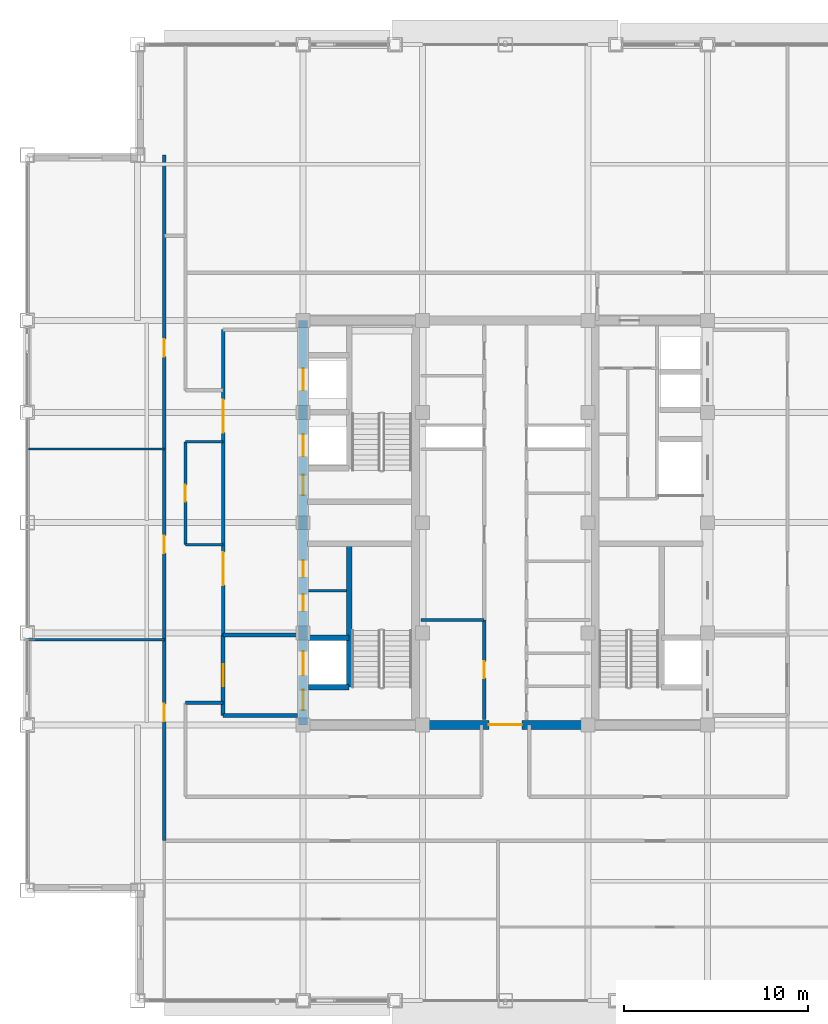
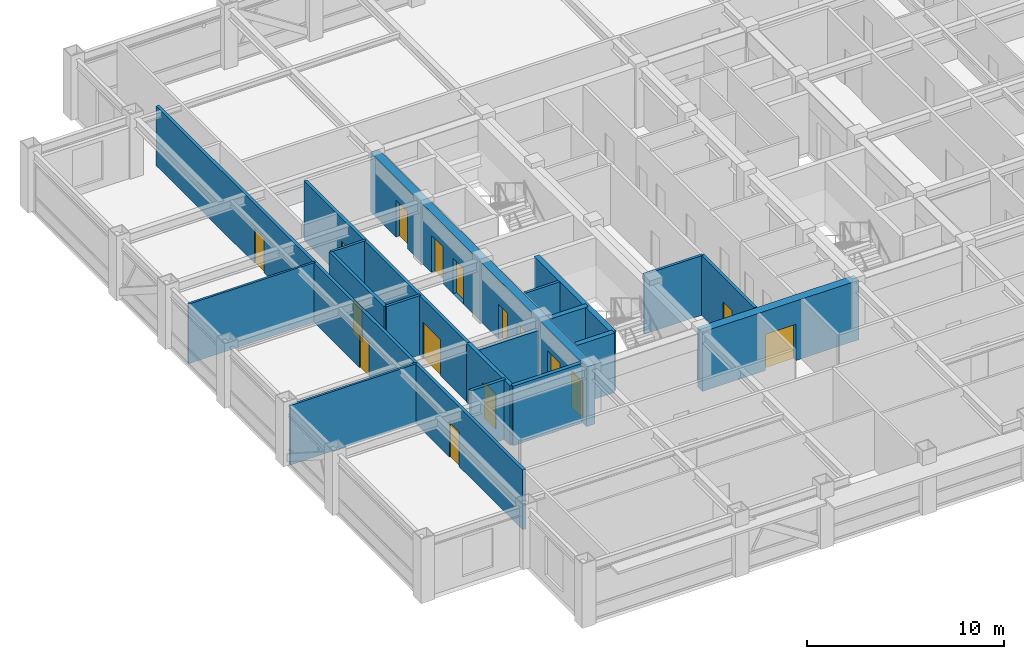
# One storey, part 24 of 32: 19 walls, 16 doors, 16 openings.
"""IFC4 building model written with IfcOpenShell, lengths in metres."""

import ifcopenshell
import ifcopenshell.guid

model = None  # the IFC model being written
_history = None  # IfcOwnerHistory: only IFC2X3 demands one
_inside = {}  # id of a spatial element -> (the spatial element, [elements in it])
_under = {}  # id of a project, library or spatial element -> (it, [spatial elements below it])
_declared = {}  # id of a project -> (the project, [libraries it declares])
_typed = {}  # id of a type object -> (the type object, [elements of that type])
_made_of = {}  # id of a material, layer set ... -> (it, [elements and type objects made of it])


def new_model(schema):
    """Start an empty IFC model of exactly this schema.

    Asked for "IFC4X3", IfcOpenShell would pick the latest addendum, in which some entities
    have other attributes; the version numbers below select the first issue.
    IFC2X3 requires an IfcOwnerHistory on every rooted entity: one is made here for all.
    """
    global model, _history
    if schema == "IFC4X3":
        model = ifcopenshell.file(schema_version=(4, 3, 0, 0))
    else:
        model = ifcopenshell.file(schema=schema)
    _inside.clear()
    _under.clear()
    _declared.clear()
    _typed.clear()
    _made_of.clear()
    _history = None
    if model.schema == "IFC2X3":
        org = make("IfcOrganization", Name="unknown")
        user = make(
            "IfcPersonAndOrganization",
            ThePerson=make("IfcPerson", FamilyName="unknown"),
            TheOrganization=org,
        )
        app = make(
            "IfcApplication",
            ApplicationDeveloper=org,
            Version="unknown",
            ApplicationFullName="unknown",
            ApplicationIdentifier="unknown",
        )
        _history = make(
            "IfcOwnerHistory",
            OwningUser=user,
            OwningApplication=app,
            ChangeAction="ADDED",
            CreationDate=0,
        )
    return model


def make(cls, **values):
    """One entity of the class cls with the attributes given. An attribute that is None is left unset."""
    return model.create_entity(
        cls, **{name: value for name, value in values.items() if value is not None}
    )


def rooted(cls, **values):
    """An entity with a GlobalId (a new one), such as an element, a storey or a relation."""
    return make(cls, GlobalId=ifcopenshell.guid.new(), OwnerHistory=_history, **values)


def si_unit(unit_type, name, prefix=None):
    """IfcSIUnit, for example si_unit("LENGTHUNIT", "METRE", prefix="MILLI")."""
    return make("IfcSIUnit", UnitType=unit_type, Prefix=prefix, Name=name)


def assignment(units):
    """IfcUnitAssignment: the units of a project."""
    return None if units is None else make("IfcUnitAssignment", Units=units)


def point(xyz):
    """IfcCartesianPoint."""
    return None if xyz is None else make("IfcCartesianPoint", Coordinates=xyz)


def direction(xyz):
    """IfcDirection."""
    return None if xyz is None else make("IfcDirection", DirectionRatios=xyz)


def frame(location, z_axis=None, x_axis=None):
    """IfcAxis2Placement3D, a coordinate frame: its origin and axes. An axis left out is left unset."""
    return make(
        "IfcAxis2Placement3D",
        Location=point(location),
        Axis=direction(z_axis),
        RefDirection=direction(x_axis),
    )


def frame_2d(location, x_axis=None):
    """IfcAxis2Placement2D, a coordinate frame in the plane: its origin and x axis."""
    return make(
        "IfcAxis2Placement2D", Location=point(location), RefDirection=direction(x_axis)
    )


def origin():
    """The frame at (0, 0, 0) with its axes left unset."""
    return frame((0.0, 0.0, 0.0))


def place(relative_to, where):
    """IfcLocalPlacement: puts the frame where relative to a parent placement (None: the world)."""
    return make(
        "IfcLocalPlacement", PlacementRelTo=relative_to, RelativePlacement=where
    )


def context(
    kind, dimensions, precision=None, world=None, true_north=None, identifier=None
):
    """IfcGeometricRepresentationContext, for example the 3D "Model" context."""
    return make(
        "IfcGeometricRepresentationContext",
        ContextIdentifier=identifier,
        ContextType=kind,
        CoordinateSpaceDimension=dimensions,
        Precision=precision,
        WorldCoordinateSystem=world,
        TrueNorth=true_north,
    )


def subcontext(parent, identifier, kind, view, scale=None):
    """IfcGeometricRepresentationSubContext, for example "Body" below "Model"."""
    return make(
        "IfcGeometricRepresentationSubContext",
        ContextIdentifier=identifier,
        ContextType=kind,
        ParentContext=parent,
        TargetScale=scale,
        TargetView=view,
    )


def project(units=None, contexts=None):
    """IfcProject with its units and contexts."""
    return rooted(
        "IfcProject",
        Name="project",
        RepresentationContexts=contexts,
        UnitsInContext=assignment(units),
    )


def spatial(cls, under=None, at=None, **own):
    """A site, building, storey or space (cls), placed at a placement, below another one or the project."""
    s = rooted(cls, ObjectPlacement=at, **own)
    if under is not None:
        _under.setdefault(under.id(), (under, []))[1].append(s)
    return s


def profile(cls, at=None, kind="AREA", **sizes):
    """A parametric profile (cls). Its sizes go by their IFC names, for example OverallWidth=200.0."""
    return make(cls, ProfileType=kind, Position=at, **sizes)


def rectangle(**sizes):
    """IfcRectangleProfileDef."""
    return profile("IfcRectangleProfileDef", **sizes)


def extrude(swept, where, along, depth):
    """IfcExtrudedAreaSolid: the profile swept, set in the frame where, extruded along a direction by depth."""
    return make(
        "IfcExtrudedAreaSolid",
        SweptArea=swept,
        Position=where,
        ExtrudedDirection=direction(along),
        Depth=depth,
    )


def shape(context_of_items, identifier, shape_type, items):
    """IfcShapeRepresentation: the items that make up one representation, for example the "Body"."""
    return make(
        "IfcShapeRepresentation",
        ContextOfItems=context_of_items,
        RepresentationIdentifier=identifier,
        RepresentationType=shape_type,
        Items=items,
    )


def source(mapping_origin, context_of_items, identifier, shape_type, items):
    """IfcRepresentationMap: a shape defined once, which mapped items show again and again."""
    return make(
        "IfcRepresentationMap",
        MappingOrigin=mapping_origin,
        MappedRepresentation=shape(context_of_items, identifier, shape_type, items),
    )


def transform(
    local_origin,
    x_axis=None,
    y_axis=None,
    z_axis=None,
    scale=None,
    scale2=None,
    scale3=None,
    uniform=True,
):
    """IfcCartesianTransformationOperator3D, or its non-uniform kind. x_axis, y_axis, z_axis: its Axis1, 2, 3."""
    if uniform:
        return make(
            "IfcCartesianTransformationOperator3D",
            Axis1=direction(x_axis),
            Axis2=direction(y_axis),
            LocalOrigin=point(local_origin),
            Scale=scale,
            Axis3=direction(z_axis),
        )
    return make(
        "IfcCartesianTransformationOperator3DnonUniform",
        Axis1=direction(x_axis),
        Axis2=direction(y_axis),
        LocalOrigin=point(local_origin),
        Scale=scale,
        Axis3=direction(z_axis),
        Scale2=scale2,
        Scale3=scale3,
    )


def mapped(mapping_source, mapping_target):
    """IfcMappedItem: shows the shape of a source again, moved by a transform."""
    return make(
        "IfcMappedItem", MappingSource=mapping_source, MappingTarget=mapping_target
    )


def material(Name=None, Category=None):
    """IfcMaterial."""
    return make("IfcMaterial", Name=Name, Category=Category)


def layer(
    of_material, thickness, ventilated=None, Name=None, Category=None, Priority=None
):
    """IfcMaterialLayer: one layer of a wall or slab, of a material (None: an air gap)."""
    return make(
        "IfcMaterialLayer",
        Material=of_material,
        LayerThickness=thickness,
        IsVentilated=ventilated,
        Name=Name,
        Category=Category,
        Priority=Priority,
    )


def layer_set(layers, Name=None):
    """IfcMaterialLayerSet."""
    return make("IfcMaterialLayerSet", MaterialLayers=layers, LayerSetName=Name)


def made_of(thing, what):
    """Note that an element or type object is made of a material, layer set ...; save() writes the relation."""
    if what is not None:
        _made_of.setdefault(what.id(), (what, []))[1].append(thing)
    return thing


def type_object(cls, material=None, **own):
    """A type object (cls), such as IfcWallType, which elements share."""
    return made_of(rooted(cls, **own), material)


def element(
    cls,
    number,
    at=None,
    inside=None,
    cuts=None,
    type_object=None,
    material=None,
    context=None,
    identifier="Body",
    shape_type=None,
    held_by="IfcProductDefinitionShape",
    body=None,
    shapes=None,
    **own,
):
    """One element of the class cls, such as IfcWall. Its Tag is "e" and its number.

    at: its placement. inside: the storey or other place that contains it. cuts: it is an
    opening in that element (IfcRelVoidsElement). A single representation is given by context,
    identifier, shape_type and body (its items); several are given by shapes. held_by: the class
    of the entity that holds the representations. save() writes the other relations.
    """
    e = rooted(cls, Tag="e%d" % number, ObjectPlacement=at, **own)
    if body is not None:
        shapes = [shape(context, identifier, shape_type, body)]
    if shapes is not None:
        e.Representation = make(held_by, Representations=shapes)
    if inside is not None:
        _inside.setdefault(inside.id(), (inside, []))[1].append(e)
    if cuts is not None:
        rooted(
            "IfcRelVoidsElement", RelatingBuildingElement=cuts, RelatedOpeningElement=e
        )
    if type_object is not None:
        _typed.setdefault(type_object.id(), (type_object, []))[1].append(e)
    return made_of(e, material)


def fill(opening, filler):
    """IfcRelFillsElement: the door or window that sits in an opening."""
    return rooted(
        "IfcRelFillsElement",
        RelatingOpeningElement=opening,
        RelatedBuildingElement=filler,
    )


def aggregate(whole, parts):
    """IfcRelAggregates: a whole, such as a stair, and the parts it consists of."""
    return rooted("IfcRelAggregates", RelatingObject=whole, RelatedObjects=parts)


def save(model, path):
    """Write the relations noted so far, then the file.

    IfcRelAggregates (storeys below a building ...), IfcRelContainedInSpatialStructure (elements
    in a storey), IfcRelDefinesByType, IfcRelAssociatesMaterial and IfcRelDeclares: one each for
    every whole, place, type object, material and project.
    """
    for whole, parts in _under.values():
        aggregate(whole, parts)
    for where, things in _inside.values():
        rooted(
            "IfcRelContainedInSpatialStructure",
            RelatedElements=things,
            RelatingStructure=where,
        )
    for kind, things in _typed.values():
        rooted("IfcRelDefinesByType", RelatedObjects=things, RelatingType=kind)
    for what, things in _made_of.values():
        rooted("IfcRelAssociatesMaterial", RelatedObjects=things, RelatingMaterial=what)
    for by, libraries in _declared.values():
        rooted("IfcRelDeclares", RelatingContext=by, RelatedDefinitions=libraries)
    model.write(path)


model = new_model("IFC4")

# Units and contexts
model_context = context("Model", 3, precision=1e-05, world=origin(), true_north=direction((0.0, 1.0)))
body_context = subcontext(model_context, "Body", "Model", "MODEL_VIEW")
ifc_project = project(units=[si_unit("LENGTHUNIT", "METRE"), si_unit("AREAUNIT", "SQUARE_METRE"), si_unit("VOLUMEUNIT", "CUBIC_METRE"), si_unit("PLANEANGLEUNIT", "RADIAN"), si_unit("MASSUNIT", "GRAM", prefix="KILO")], contexts=[model_context])

# Site, building, storey
site_placement = place(None, origin())
site = spatial("IfcSite", under=ifc_project, at=site_placement, CompositionType="ELEMENT")
building_placement = place(site_placement, origin())
building = spatial("IfcBuilding", under=site, at=building_placement, Name="Khorayat Bourse Tower", CompositionType="ELEMENT")
storey_placement = place(building_placement, frame((0.0, 0.0, 342.300048828125)))
storey = spatial("IfcBuildingStorey", under=building, at=storey_placement, Name="L81", CompositionType="ELEMENT", Elevation=342.300048828125)

# Wall, openings, doors
ifc_material_1 = material(Name="Concrete C52/65", Category="concrete")
ifc_layer_1 = layer(ifc_material_1, 0.5)
ifc_layer_set_1 = layer_set([ifc_layer_1], Name="Concrete C52/65")
wall_type_1 = type_object("IfcWallType", Name="WAL-CORE-500", PredefinedType="SHEAR", material=ifc_layer_set_1)
shared_shape_1 = source(origin(), body_context, "Body", "SweptSolid", [
    extrude(rectangle(XDim=22.0, YDim=0.5, at=frame_2d((11.0, 0.0))), origin(), (0.0, 0.0, 1.0), 3.699951171875),
])
wall_1_placement = place(storey_placement, frame((-11.0, -11.0, 0.0), z_axis=(0.0, 0.0, 1.0), x_axis=(0.0, 1.0, 0.0)))
wall_1 = element("IfcWall", 1, at=wall_1_placement, inside=storey, type_object=wall_type_1, Name="L81 Core Shear Wall CORE-W", PredefinedType="SHEAR", context=body_context, shape_type="MappedRepresentation", body=[
    mapped(shared_shape_1, transform((0.0, 0.0, 0.0), scale=1.0)),
])
shared_shape_2 = source(origin(), body_context, "Body", "SweptSolid", [
    extrude(rectangle(XDim=1.10009765625, YDim=2.199951171875, at=frame_2d((0.550048828125, 1.10009765625))), frame((0.0, 0.260009765625, 0.0), z_axis=(0.0, -1.0, 0.0), x_axis=(1.0, 0.0, 0.0)), (0.0, 0.0, 1.0), 0.52001953125),
])
opening_1_placement = place(wall_1_placement, frame((0.800048828125, 0.0, 0.0)))
opening_1 = element("IfcOpeningElement", 2, at=opening_1_placement, cuts=wall_1, Name="Opening DI-01", PredefinedType="OPENING", context=body_context, shape_type="MappedRepresentation", body=[
    mapped(shared_shape_2, transform((0.0, 0.0, 0.0), scale=1.0)),
])
opening_2_placement = place(wall_1_placement, frame((12.5, 0.0, 0.0)))
opening_2 = element("IfcOpeningElement", 3, at=opening_2_placement, cuts=wall_1, Name="Opening DI-01", PredefinedType="OPENING", context=body_context, shape_type="MappedRepresentation", body=[
    mapped(shared_shape_2, transform((0.0, 0.0, 0.0), scale=1.0)),
])
shared_shape_3 = source(origin(), body_context, "Body", "SweptSolid", [
    extrude(rectangle(XDim=0.89990234375, YDim=2.14990234375, at=frame_2d((0.449951171875, 1.074951171875))), frame((0.0, 0.260009765625, 0.0), z_axis=(0.0, -1.0, 0.0), x_axis=(1.0, 0.0, 0.0)), (0.0, 0.0, 1.0), 0.52001953125),
])
opening_3_placement = place(wall_1_placement, frame((6.199951171875, 0.0, 0.0)))
opening_3 = element("IfcOpeningElement", 4, at=opening_3_placement, cuts=wall_1, Name="Opening DI-06", PredefinedType="OPENING", context=body_context, shape_type="MappedRepresentation", body=[
    mapped(shared_shape_3, transform((0.0, 0.0, 0.0), scale=1.0)),
])
opening_4_placement = place(wall_1_placement, frame((8.050048828125, 0.0, 0.0)))
opening_4 = element("IfcOpeningElement", 5, at=opening_4_placement, cuts=wall_1, Name="Opening DI-06", PredefinedType="OPENING", context=body_context, shape_type="MappedRepresentation", body=[
    mapped(shared_shape_3, transform((0.0, 0.0, 0.0), scale=1.0)),
])
shared_shape_4 = source(origin(), body_context, "Body", "SweptSolid", [
    extrude(rectangle(XDim=1.199951171875, YDim=2.300048828125, at=frame_2d((0.60009765625, 1.14990234375))), frame((0.0, 0.260009765625, 0.0), z_axis=(0.0, -1.0, 0.0), x_axis=(1.0, 0.0, 0.0)), (0.0, 0.0, 1.0), 0.52001953125),
])
opening_5_placement = place(wall_1_placement, frame((14.60009765625, 0.0, 0.0)))
opening_5 = element("IfcOpeningElement", 6, at=opening_5_placement, cuts=wall_1, Name="Opening LD-01", PredefinedType="OPENING", context=body_context, shape_type="MappedRepresentation", body=[
    mapped(shared_shape_4, transform((0.0, 0.0, 0.0), scale=1.0)),
])
opening_6_placement = place(wall_1_placement, frame((18.199951171875, 0.0, 0.0)))
opening_6 = element("IfcOpeningElement", 7, at=opening_6_placement, cuts=wall_1, Name="Opening LD-01", PredefinedType="OPENING", context=body_context, shape_type="MappedRepresentation", body=[
    mapped(shared_shape_4, transform((0.0, 0.0, 0.0), scale=1.0)),
])
shared_shape_5 = source(origin(), body_context, "Body", "SweptSolid", [
    extrude(rectangle(XDim=1.300048828125, YDim=2.300048828125, at=frame_2d((0.64990234375, 1.14990234375))), frame((0.0, 0.260009765625, 0.0), z_axis=(0.0, -1.0, 0.0), x_axis=(1.0, 0.0, 0.0)), (0.0, 0.0, 1.0), 0.52001953125),
])
opening_7_placement = place(wall_1_placement, frame((2.699951171875, 0.0, 0.0)))
opening_7 = element("IfcOpeningElement", 8, at=opening_7_placement, cuts=wall_1, Name="Opening LD-02", PredefinedType="OPENING", context=body_context, shape_type="MappedRepresentation", body=[
    mapped(shared_shape_5, transform((0.0, 0.0, 0.0), scale=1.0)),
])
ifc_material_2 = material(Name="Fire-rated steel acoustic leaf", Category="steel")
door_type_1 = type_object("IfcDoorType", Name="DR-INT-STAIR-1100", OperationType="NOTDEFINED", PredefinedType="DOOR", material=ifc_material_2)
shared_shape_6 = source(origin(), body_context, "Body", "SweptSolid", [
    extrude(rectangle(XDim=1.10009765625, YDim=2.199951171875, at=frame_2d((0.550048828125, 1.10009765625))), frame((0.0, 0.02490234375, 0.0), z_axis=(0.0, -1.0, 0.0), x_axis=(1.0, 0.0, 0.0)), (0.0, 0.0, 1.0), 0.050048828125),
])
door_1_placement = place(opening_1_placement, origin())
door_1 = element("IfcDoor", 9, at=door_1_placement, inside=storey, type_object=door_type_1, Name="L81 Exit Stair 1 Door", OperationType="SINGLE_SWING_RIGHT", OverallHeight=2.199951171875, OverallWidth=1.10009765625, PredefinedType="DOOR", context=body_context, shape_type="MappedRepresentation", body=[
    mapped(shared_shape_6, transform((0.0, 0.0, 0.0), scale=1.0)),
])
fill(opening_1, door_1)
door_2_placement = place(opening_2_placement, origin())
door_2 = element("IfcDoor", 10, at=door_2_placement, inside=storey, type_object=door_type_1, Name="L81 Exit Stair 2 Door", OperationType="SINGLE_SWING_RIGHT", OverallHeight=2.199951171875, OverallWidth=1.10009765625, PredefinedType="DOOR", context=body_context, shape_type="MappedRepresentation", body=[
    mapped(shared_shape_6, transform((0.0, 0.0, 0.0), scale=1.0)),
])
fill(opening_2, door_2)
ifc_material_3 = material(Name="Moisture-resistant laminate washroom door")
door_type_2 = type_object("IfcDoorType", Name="DR-INT-WC-900", OperationType="NOTDEFINED", PredefinedType="DOOR", material=ifc_material_3)
shared_shape_7 = source(origin(), body_context, "Body", "SweptSolid", [
    extrude(rectangle(XDim=0.89990234375, YDim=2.14990234375, at=frame_2d((0.449951171875, 1.074951171875))), frame((0.0, 0.02490234375, 0.0), z_axis=(0.0, -1.0, 0.0), x_axis=(1.0, 0.0, 0.0)), (0.0, 0.0, 1.0), 0.050048828125),
])
door_3_placement = place(opening_3_placement, origin())
door_3 = element("IfcDoor", 11, at=door_3_placement, inside=storey, type_object=door_type_2, Name="L81 Electrical Plant Room Door", OperationType="SINGLE_SWING_RIGHT", OverallHeight=2.14990234375, OverallWidth=0.89990234375, PredefinedType="DOOR", context=body_context, shape_type="MappedRepresentation", body=[
    mapped(shared_shape_7, transform((0.0, 0.0, 0.0), scale=1.0)),
])
fill(opening_3, door_3)
door_4_placement = place(opening_4_placement, origin())
door_4 = element("IfcDoor", 12, at=door_4_placement, inside=storey, type_object=door_type_2, Name="L81 Cleaner Storage Room Door", OperationType="SINGLE_SWING_LEFT", OverallHeight=2.14990234375, OverallWidth=0.89990234375, PredefinedType="DOOR", context=body_context, shape_type="MappedRepresentation", body=[
    mapped(shared_shape_7, transform((0.0, 0.0, 0.0), scale=1.0)),
])
fill(opening_4, door_4)
ifc_material_4 = material(Name="Brushed bronze stainless-steel sliding door", Category="steel")
door_type_3 = type_object("IfcDoorType", Name="DR-LIFT-PASS-1200", OperationType="NOTDEFINED", PredefinedType="DOOR", material=ifc_material_4)
shared_shape_8 = source(origin(), body_context, "Body", "SweptSolid", [
    extrude(rectangle(XDim=1.199951171875, YDim=2.300048828125, at=frame_2d((0.60009765625, 1.14990234375))), frame((0.0, 0.02490234375, 0.0), z_axis=(0.0, -1.0, 0.0), x_axis=(1.0, 0.0, 0.0)), (0.0, 0.0, 1.0), 0.050048828125),
])
door_5_placement = place(opening_5_placement, origin())
door_5 = element("IfcDoor", 13, at=door_5_placement, inside=storey, type_object=door_type_3, Name="L81 Lift PL-H1 Sliding Landing Door", OperationType="SLIDING_TO_LEFT", OverallHeight=2.300048828125, OverallWidth=1.199951171875, PredefinedType="DOOR", context=body_context, shape_type="MappedRepresentation", body=[
    mapped(shared_shape_8, transform((0.0, 0.0, 0.0), scale=1.0)),
])
fill(opening_5, door_5)
door_6_placement = place(opening_6_placement, origin())
door_6 = element("IfcDoor", 14, at=door_6_placement, inside=storey, type_object=door_type_3, Name="L81 Lift PL-H2 Sliding Landing Door", OperationType="SLIDING_TO_LEFT", OverallHeight=2.300048828125, OverallWidth=1.199951171875, PredefinedType="DOOR", context=body_context, shape_type="MappedRepresentation", body=[
    mapped(shared_shape_8, transform((0.0, 0.0, 0.0), scale=1.0)),
])
fill(opening_6, door_6)
ifc_material_5 = material(Name="Fire-rated stainless-steel sliding landing door", Category="steel")
door_type_4 = type_object("IfcDoorType", Name="DR-LIFT-FF-1300", OperationType="NOTDEFINED", PredefinedType="DOOR", material=ifc_material_5)
shared_shape_9 = source(origin(), body_context, "Body", "SweptSolid", [
    extrude(rectangle(XDim=1.300048828125, YDim=2.300048828125, at=frame_2d((0.64990234375, 1.14990234375))), frame((0.0, 0.02490234375, 0.0), z_axis=(0.0, -1.0, 0.0), x_axis=(1.0, 0.0, 0.0)), (0.0, 0.0, 1.0), 0.050048828125),
])
door_7_placement = place(opening_7_placement, origin())
door_7 = element("IfcDoor", 15, at=door_7_placement, inside=storey, type_object=door_type_4, Name="L81 Lift FFL-01 Sliding Landing Door", OperationType="SLIDING_TO_LEFT", OverallHeight=2.300048828125, OverallWidth=1.300048828125, PredefinedType="DOOR", context=body_context, shape_type="MappedRepresentation", body=[
    mapped(shared_shape_9, transform((0.0, 0.0, 0.0), scale=1.0)),
])
fill(opening_7, door_7)

# Wall, opening, door
shared_shape_10 = source(origin(), body_context, "Body", "SweptSolid", [
    extrude(rectangle(XDim=9.2001953125, YDim=0.5, at=frame_2d((4.60009765625, 0.0))), origin(), (0.0, 0.0, 1.0), 3.699951171875),
])
wall_2_placement = place(storey_placement, frame((-4.60009765625, -11.0, 0.0), z_axis=(0.0, 0.0, 1.0), x_axis=(1.0, 0.0, 0.0)))
wall_2 = element("IfcWall", 16, at=wall_2_placement, inside=storey, type_object=wall_type_1, Name="L81 Core Shear Wall CORE-S", PredefinedType="SHEAR", context=body_context, shape_type="MappedRepresentation", body=[
    mapped(shared_shape_10, transform((0.0, 0.0, 0.0), scale=1.0)),
])
shared_shape_11 = source(origin(), body_context, "Body", "SweptSolid", [
    extrude(rectangle(XDim=1.800048828125, YDim=2.25, at=frame_2d((0.89990234375, 1.125))), frame((0.0, 0.260009765625, 0.0), z_axis=(0.0, -1.0, 0.0), x_axis=(1.0, 0.0, 0.0)), (0.0, 0.0, 1.0), 0.52001953125),
])
opening_8_placement = place(wall_2_placement, frame((3.699951171875, 0.0, 0.0)))
opening_8 = element("IfcOpeningElement", 17, at=opening_8_placement, cuts=wall_2, Name="Opening DI-03", PredefinedType="OPENING", context=body_context, shape_type="MappedRepresentation", body=[
    mapped(shared_shape_11, transform((0.0, 0.0, 0.0), scale=1.0)),
])
ifc_material_6 = material(Name="Fire-rated hardwood vision-panel double leaf", Category="wood")
door_type_5 = type_object("IfcDoorType", Name="DR-INT-CORR-1800", OperationType="NOTDEFINED", PredefinedType="DOOR", material=ifc_material_6)
shared_shape_12 = source(origin(), body_context, "Body", "SweptSolid", [
    extrude(rectangle(XDim=1.800048828125, YDim=2.25, at=frame_2d((0.89990234375, 1.125))), frame((0.0, 0.02490234375, 0.0), z_axis=(0.0, -1.0, 0.0), x_axis=(1.0, 0.0, 0.0)), (0.0, 0.0, 1.0), 0.050048828125),
])
door_8_placement = place(opening_8_placement, origin())
door_8 = element("IfcDoor", 18, at=door_8_placement, inside=storey, type_object=door_type_5, Name="L81 Central Core South Passage Door", OperationType="SINGLE_SWING_LEFT", OverallHeight=2.25, OverallWidth=1.800048828125, PredefinedType="DOOR", context=body_context, shape_type="MappedRepresentation", body=[
    mapped(shared_shape_12, transform((0.0, 0.0, 0.0), scale=1.0)),
])
fill(opening_8, door_8)

# Walls
ifc_material_7 = material(Name="Concrete C50/60", Category="concrete")
ifc_layer_2 = layer(ifc_material_7, 0.300048828125)
ifc_layer_set_2 = layer_set([ifc_layer_2], Name="Concrete C50/60")
wall_type_2 = type_object("IfcWallType", Name="WAL-SHAFT-300", PredefinedType="SHEAR", material=ifc_layer_set_2)
shared_shape_13 = source(origin(), body_context, "Body", "SweptSolid", [
    extrude(rectangle(XDim=7.800048828125, YDim=0.300048828125, at=frame_2d((3.89990234375, 0.0))), origin(), (0.0, 0.0, 1.0), 3.699951171875),
])
wall_3_placement = place(storey_placement, frame((-8.5, -8.949951171875, 0.0), z_axis=(0.0, 0.0, 1.0), x_axis=(0.0, 1.0, 0.0)))
element("IfcWall", 19, at=wall_3_placement, inside=storey, type_object=wall_type_2, Name="L81 Partition WAL-L81-WPIER-SP", PredefinedType="SHEAR", context=body_context, shape_type="MappedRepresentation", body=[
    mapped(shared_shape_13, transform((0.0, 0.0, 0.0), scale=1.0)),
])
shared_shape_14 = source(origin(), body_context, "Body", "SweptSolid", [
    extrude(rectangle(XDim=2.199951171875, YDim=0.300048828125, at=frame_2d((1.10009765625, 0.0))), origin(), (0.0, 0.0, 1.0), 3.699951171875),
])
for number, where, z_axis, x_axis, name in (
    (20, (-10.699951171875, -8.949951171875, 0.0), (0.0, 0.0, 1.0), (1.0, 0.0, 0.0), "L81 Partition WAL-L81-WPIER-FF1S"),
    (21, (-10.699951171875, -6.25, 0.0), (0.0, 0.0, 1.0), (1.0, 0.0, 0.0), "L81 Partition WAL-L81-WPIER-FF1N"),
):
    element("IfcWall", number, at=place(storey_placement, frame(where, z_axis=z_axis, x_axis=x_axis)), inside=storey, type_object=wall_type_2, Name=name, PredefinedType="SHEAR", context=body_context, shape_type="MappedRepresentation", body=[
        mapped(shared_shape_14, transform((0.0, 0.0, 0.0), scale=1.0)),
    ])
ifc_material_8 = material(Name="Gypsum plasterboard twin-frame partition")
ifc_layer_3 = layer(ifc_material_8, 0.14990234375)
ifc_layer_set_3 = layer_set([ifc_layer_3], Name="Gypsum plasterboard twin-frame partition")
wall_type_3 = type_object("IfcWallType", Name="WAL-PART-SUITE-150", PredefinedType="PARTITIONING", material=ifc_layer_set_3)
shared_shape_15 = source(origin(), body_context, "Body", "SweptSolid", [
    extrude(rectangle(XDim=2.050048828125, YDim=0.14990234375, at=frame_2d((1.02490234375, 0.0))), origin(), (0.0, 0.0, 1.0), 3.699951171875),
])
wall_4_placement = place(storey_placement, frame((-10.699951171875, -3.699951171875, 0.0), z_axis=(0.0, 0.0, 1.0), x_axis=(1.0, 0.0, 0.0)))
element("IfcWall", 22, at=wall_4_placement, inside=storey, type_object=wall_type_3, Name="L81 Partition WAL-L81-WSRV-D1", PredefinedType="PARTITIONING", context=body_context, shape_type="MappedRepresentation", body=[
    mapped(shared_shape_15, transform((0.0, 0.0, 0.0), scale=1.0)),
])
ifc_material_9 = material(Name="Aerated concrete blockwork", Category="masonry")
ifc_layer_4 = layer(ifc_material_9, 0.219970703125)
ifc_layer_set_4 = layer_set([ifc_layer_4], Name="Aerated concrete blockwork")
wall_type_4 = type_object("IfcWallType", Name="WAL-PART-FF-220", PredefinedType="PARTITIONING", material=ifc_layer_set_4)
shared_shape_16 = source(origin(), body_context, "Body", "SweptSolid", [
    extrude(rectangle(XDim=4.050048828125, YDim=0.219970703125, at=frame_2d((2.02490234375, 0.0))), origin(), (0.0, 0.0, 1.0), 3.699951171875),
])
wall_5_placement = place(storey_placement, frame((-15.35009765625, -10.5, 0.0), z_axis=(0.0, 0.0, 1.0), x_axis=(1.0, 0.0, 0.0)))
element("IfcWall", 23, at=wall_5_placement, inside=storey, type_object=wall_type_4, Name="L81 Partition WAL-L81-FFLW-S", PredefinedType="PARTITIONING", context=body_context, shape_type="MappedRepresentation", body=[
    mapped(shared_shape_16, transform((0.0, 0.0, 0.0), scale=1.0)),
])
shared_shape_17 = source(origin(), body_context, "Body", "SweptSolid", [
    extrude(rectangle(XDim=4.050048828125, YDim=0.219970703125, at=frame_2d((2.02490234375, 0.0))), origin(), (0.0, 0.0, 1.0), 3.083984375),
])
wall_6_placement = place(storey_placement, frame((-15.35009765625, -6.10009765625, 0.0), z_axis=(0.0, 0.0, 1.0), x_axis=(1.0, 0.0, 0.0)))
element("IfcWall", 24, at=wall_6_placement, inside=storey, type_object=wall_type_4, Name="L81 Partition WAL-L81-FFLW-N", PredefinedType="PARTITIONING", context=body_context, shape_type="MappedRepresentation", body=[
    mapped(shared_shape_17, transform((0.0, 0.0, 0.0), scale=1.0)),
])

# Wall, opening, door
shared_shape_18 = source(origin(), body_context, "Body", "SweptSolid", [
    extrude(rectangle(XDim=4.39990234375, YDim=0.219970703125, at=frame_2d((2.199951171875, 0.0))), origin(), (0.0, 0.0, 1.0), 3.699951171875),
])
wall_7_placement = place(storey_placement, frame((-15.35009765625, -10.5, 0.0), z_axis=(0.0, 0.0, 1.0), x_axis=(0.0, 1.0, 0.0)))
wall_7 = element("IfcWall", 25, at=wall_7_placement, inside=storey, type_object=wall_type_4, Name="L81 Partition WAL-L81-FFLW-W", PredefinedType="PARTITIONING", context=body_context, shape_type="MappedRepresentation", body=[
    mapped(shared_shape_18, transform((0.0, 0.0, 0.0), scale=1.0)),
])
shared_shape_19 = source(origin(), body_context, "Body", "SweptSolid", [
    extrude(rectangle(XDim=1.199951171875, YDim=2.199951171875, at=frame_2d((0.60009765625, 1.10009765625))), frame((0.0, 0.119873046875, 0.0), z_axis=(0.0, -1.0, 0.0), x_axis=(1.0, 0.0, 0.0)), (0.0, 0.0, 1.0), 0.239990234375),
])
opening_9_placement = place(wall_7_placement, frame((1.60009765625, 0.0, 0.0)))
opening_9 = element("IfcOpeningElement", 26, at=opening_9_placement, cuts=wall_7, Name="Opening DI-02", PredefinedType="OPENING", context=body_context, shape_type="MappedRepresentation", body=[
    mapped(shared_shape_19, transform((0.0, 0.0, 0.0), scale=1.0)),
])
ifc_material_10 = material(Name="Fire-rated steel double-seal leaf", Category="steel")
door_type_6 = type_object("IfcDoorType", Name="DR-INT-FFLOBBY-1200", OperationType="NOTDEFINED", PredefinedType="DOOR", material=ifc_material_10)
shared_shape_20 = source(origin(), body_context, "Body", "SweptSolid", [
    extrude(rectangle(XDim=1.199951171875, YDim=2.199951171875, at=frame_2d((0.60009765625, 1.10009765625))), frame((0.0, 0.02490234375, 0.0), z_axis=(0.0, -1.0, 0.0), x_axis=(1.0, 0.0, 0.0)), (0.0, 0.0, 1.0), 0.050048828125),
])
door_9_placement = place(opening_9_placement, origin())
door_9 = element("IfcDoor", 27, at=door_9_placement, inside=storey, type_object=door_type_6, Name="L81 West Firefighting Lobby Door", OperationType="SINGLE_SWING_LEFT", OverallHeight=2.199951171875, OverallWidth=1.199951171875, PredefinedType="DOOR", context=body_context, shape_type="MappedRepresentation", body=[
    mapped(shared_shape_20, transform((0.0, 0.0, 0.0), scale=1.0)),
])
fill(opening_9, door_9)

# Wall, openings, doors
ifc_material_11 = material(Name="Gypsum plasterboard acoustic stud wall")
ifc_layer_5 = layer(ifc_material_11, 0.179931640625)
ifc_layer_set_5 = layer_set([ifc_layer_5], Name="Gypsum plasterboard acoustic stud wall")
wall_type_5 = type_object("IfcWallType", Name="WAL-PART-CORR-180", PredefinedType="PARTITIONING", material=ifc_layer_set_5)
shared_shape_21 = source(origin(), body_context, "Body", "SweptSolid", [
    extrude(rectangle(XDim=16.60009765625, YDim=0.179931640625, at=frame_2d((8.300048828125, 0.0))), origin(), (0.0, 0.0, 1.0), 3.699951171875),
])
wall_8_placement = place(storey_placement, frame((-15.35009765625, -6.10009765625, 0.0), z_axis=(0.0, 0.0, 1.0), x_axis=(0.0, 1.0, 0.0)))
wall_8 = element("IfcWall", 28, at=wall_8_placement, inside=storey, type_object=wall_type_5, Name="L81 Partition WAL-L81-WLOB-W", PredefinedType="PARTITIONING", context=body_context, shape_type="MappedRepresentation", body=[
    mapped(shared_shape_21, transform((0.0, 0.0, 0.0), scale=1.0)),
])
shared_shape_22 = source(origin(), body_context, "Body", "SweptSolid", [
    extrude(rectangle(XDim=1.800048828125, YDim=2.25, at=frame_2d((0.89990234375, 1.125))), frame((0.0, 0.099853515625, 0.0), z_axis=(0.0, -1.0, 0.0), x_axis=(1.0, 0.0, 0.0)), (0.0, 0.0, 1.0), 0.199951171875),
])
opening_10_placement = place(wall_8_placement, frame((2.699951171875, 0.0, 0.0)))
opening_10 = element("IfcOpeningElement", 29, at=opening_10_placement, cuts=wall_8, Name="Opening DI-03", PredefinedType="OPENING", context=body_context, shape_type="MappedRepresentation", body=[
    mapped(shared_shape_22, transform((0.0, 0.0, 0.0), scale=1.0)),
])
opening_11_placement = place(wall_8_placement, frame((11.0, 0.0, 0.0)))
opening_11 = element("IfcOpeningElement", 30, at=opening_11_placement, cuts=wall_8, Name="Opening DI-03", PredefinedType="OPENING", context=body_context, shape_type="MappedRepresentation", body=[
    mapped(shared_shape_22, transform((0.0, 0.0, 0.0), scale=1.0)),
])
door_10_placement = place(opening_10_placement, origin())
door_10 = element("IfcDoor", 31, at=door_10_placement, inside=storey, type_object=door_type_5, Name="L81 West Core Lobby South Door", OperationType="SINGLE_SWING_LEFT", OverallHeight=2.25, OverallWidth=1.800048828125, PredefinedType="DOOR", context=body_context, shape_type="MappedRepresentation", body=[
    mapped(shared_shape_12, transform((0.0, 0.0, 0.0), scale=1.0)),
])
fill(opening_10, door_10)
door_11_placement = place(opening_11_placement, origin())
door_11 = element("IfcDoor", 32, at=door_11_placement, inside=storey, type_object=door_type_5, Name="L81 West Core Lobby North Door", OperationType="SINGLE_SWING_RIGHT", OverallHeight=2.25, OverallWidth=1.800048828125, PredefinedType="DOOR", context=body_context, shape_type="MappedRepresentation", body=[
    mapped(shared_shape_12, transform((0.0, 0.0, 0.0), scale=1.0)),
])
fill(opening_11, door_11)

# Wall
shared_shape_23 = source(origin(), body_context, "Body", "SweptSolid", [
    extrude(rectangle(XDim=3.4501953125, YDim=0.14990234375, at=frame_2d((1.72509765625, 0.0))), origin(), (0.0, 0.0, 1.0), 3.699951171875),
])
wall_9_placement = place(storey_placement, frame((-4.60009765625, -5.300048828125, 0.0), z_axis=(0.0, 0.0, 1.0), x_axis=(1.0, 0.0, 0.0)))
element("IfcWall", 33, at=wall_9_placement, inside=storey, type_object=wall_type_3, Name="L81 Partition WAL-L81-FB1-NW", PredefinedType="PARTITIONING", context=body_context, shape_type="MappedRepresentation", body=[
    mapped(shared_shape_23, transform((0.0, 0.0, 0.0), scale=1.0)),
])

# Wall, opening, door
shared_shape_24 = source(origin(), body_context, "Body", "SweptSolid", [
    extrude(rectangle(XDim=5.39990234375, YDim=0.179931640625, at=frame_2d((2.699951171875, 0.0))), origin(), (0.0, 0.0, 1.0), 3.699951171875),
])
wall_10_placement = place(storey_placement, frame((-1.14990234375, -10.699951171875, 0.0), z_axis=(0.0, 0.0, 1.0), x_axis=(0.0, 1.0, 0.0)))
wall_10 = element("IfcWall", 34, at=wall_10_placement, inside=storey, type_object=wall_type_5, Name="L81 Partition WAL-L81-FB1W-L", PredefinedType="PARTITIONING", context=body_context, shape_type="MappedRepresentation", body=[
    mapped(shared_shape_24, transform((0.0, 0.0, 0.0), scale=1.0)),
])
shared_shape_25 = source(origin(), body_context, "Body", "SweptSolid", [
    extrude(rectangle(XDim=0.89990234375, YDim=2.14990234375, at=frame_2d((0.449951171875, 1.074951171875))), frame((0.0, 0.099853515625, 0.0), z_axis=(0.0, -1.0, 0.0), x_axis=(1.0, 0.0, 0.0)), (0.0, 0.0, 1.0), 0.199951171875),
])
opening_12_placement = place(wall_10_placement, frame((2.25, 0.0, 0.0)))
opening_12 = element("IfcOpeningElement", 35, at=opening_12_placement, cuts=wall_10, Name="Opening DI-06", PredefinedType="OPENING", context=body_context, shape_type="MappedRepresentation", body=[
    mapped(shared_shape_25, transform((0.0, 0.0, 0.0), scale=1.0)),
])
door_12_placement = place(opening_12_placement, origin())
door_12 = element("IfcDoor", 36, at=door_12_placement, inside=storey, type_object=door_type_2, Name="L81 IT Comms Server Plant Room Door", OperationType="SINGLE_SWING_RIGHT", OverallHeight=2.14990234375, OverallWidth=0.89990234375, PredefinedType="DOOR", context=body_context, shape_type="MappedRepresentation", body=[
    mapped(shared_shape_7, transform((0.0, 0.0, 0.0), scale=1.0)),
])
fill(opening_12, door_12)

shared_shape_26 = source(origin(), body_context, "Body", "SweptSolid", [
    extrude(rectangle(XDim=5.599853515625, YDim=0.179931640625, at=frame_2d((2.7998046875, 0.0))), origin(), (0.0, 0.0, 1.0), 3.699951171875),
])
wall_11_placement = place(storey_placement, frame((-17.39990234375, -1.199951171875, 0.0), z_axis=(0.0, 0.0, 1.0), x_axis=(0.0, 1.0, 0.0)))
wall_11 = element("IfcWall", 37, at=wall_11_placement, inside=storey, type_object=wall_type_5, Name="L81 Partition WAL-L81-PKWM-W", PredefinedType="PARTITIONING", context=body_context, shape_type="MappedRepresentation", body=[
    mapped(shared_shape_26, transform((0.0, 0.0, 0.0), scale=1.0)),
])
opening_13_placement = place(wall_11_placement, frame((2.35009765625, 0.0, 0.0)))
opening_13 = element("IfcOpeningElement", 38, at=opening_13_placement, cuts=wall_11, Name="Opening DI-06", PredefinedType="OPENING", context=body_context, shape_type="MappedRepresentation", body=[
    mapped(shared_shape_25, transform((0.0, 0.0, 0.0), scale=1.0)),
])
door_13_placement = place(opening_13_placement, origin())
door_13 = element("IfcDoor", 39, at=door_13_placement, inside=storey, type_object=door_type_2, Name="L81 West Inboard Focus Door", OperationType="SINGLE_SWING_LEFT", OverallHeight=2.14990234375, OverallWidth=0.89990234375, PredefinedType="DOOR", context=body_context, shape_type="MappedRepresentation", body=[
    mapped(shared_shape_7, transform((0.0, 0.0, 0.0), scale=1.0)),
])
fill(opening_13, door_13)

# Walls
shared_shape_27 = source(origin(), body_context, "Body", "SweptSolid", [
    extrude(rectangle(XDim=2.0498046875, YDim=0.14990234375, at=frame_2d((1.02490234375, 0.0))), origin(), (0.0, 0.0, 1.0), 3.699951171875),
])
for number, where, z_axis, x_axis, name in (
    (40, (-17.39990234375, -1.199951171875, 0.0), (0.0, 0.0, 1.0), (1.0, 0.0, 0.0), "L81 Partition WAL-L81-PKWM-S"),
    (41, (-17.39990234375, 4.39990234375, 0.0), (0.0, 0.0, 1.0), (1.0, 0.0, 0.0), "L81 Partition WAL-L81-PKWM-N"),
):
    element("IfcWall", number, at=place(storey_placement, frame(where, z_axis=z_axis, x_axis=x_axis)), inside=storey, type_object=wall_type_3, Name=name, PredefinedType="PARTITIONING", context=body_context, shape_type="MappedRepresentation", body=[
        mapped(shared_shape_27, transform((0.0, 0.0, 0.0), scale=1.0)),
    ])
shared_shape_28 = source(origin(), body_context, "Body", "SweptSolid", [
    extrude(rectangle(XDim=2.0498046875, YDim=0.179931640625, at=frame_2d((1.02490234375, 0.0))), origin(), (0.0, 0.0, 1.0), 3.699951171875),
])
wall_12_placement = place(storey_placement, frame((-17.39990234375, -9.800048828125, 0.0), z_axis=(0.0, 0.0, 1.0), x_axis=(1.0, 0.0, 0.0)))
element("IfcWall", 42, at=wall_12_placement, inside=storey, type_object=wall_type_5, Name="L81 Partition WAL-L81-THRW-S", PredefinedType="PARTITIONING", context=body_context, shape_type="MappedRepresentation", body=[
    mapped(shared_shape_28, transform((0.0, 0.0, 0.0), scale=1.0)),
])
ifc_material_12 = material(Name="Gypsum plasterboard partition")
ifc_layer_6 = layer(ifc_material_12, 0.125)
ifc_layer_set_6 = layer_set([ifc_layer_6], Name="Gypsum plasterboard partition")
wall_type_6 = type_object("IfcWallType", Name="WAL-PART-ROOM-125", PredefinedType="PARTITIONING", material=ifc_layer_set_6)
shared_shape_29 = source(origin(), body_context, "Body", "SweptSolid", [
    extrude(rectangle(XDim=7.449951171875, YDim=0.125, at=frame_2d((3.72509765625, 0.0))), origin(), (0.0, 0.0, 1.0), 3.699951171875),
])
for number, where, z_axis, x_axis, name in (
    (43, (-26.0, -6.360107421875, 0.0), (0.0, 0.0, 1.0), (1.0, 0.0, 0.0), "L81 Partition WAL-L81-WDV-1"),
    (44, (-26.0, 4.010009765625, 0.0), (0.0, 0.0, 1.0), (1.0, 0.0, 0.0), "L81 Partition WAL-L81-WDV-2"),
):
    element("IfcWall", number, at=place(storey_placement, frame(where, z_axis=z_axis, x_axis=x_axis)), inside=storey, type_object=wall_type_6, Name=name, PredefinedType="PARTITIONING", context=body_context, shape_type="MappedRepresentation", body=[
        mapped(shared_shape_29, transform((0.0, 0.0, 0.0), scale=1.0)),
    ])

# Wall, openings, doors
shared_shape_30 = source(origin(), body_context, "Body", "SweptSolid", [
    extrude(rectangle(XDim=37.300048828125, YDim=0.179931640625, at=frame_2d((18.64990234375, 0.0))), origin(), (0.0, 0.0, 1.0), 3.699951171875),
])
wall_13_placement = place(storey_placement, frame((-18.550048828125, -17.300048828125, 0.0), z_axis=(0.0, 0.0, 1.0), x_axis=(0.0, 1.0, 0.0)))
wall_13 = element("IfcWall", 45, at=wall_13_placement, inside=storey, type_object=wall_type_5, Name="L81 Partition WAL-L81-WCORR", PredefinedType="PARTITIONING", context=body_context, shape_type="MappedRepresentation", body=[
    mapped(shared_shape_30, transform((0.0, 0.0, 0.0), scale=1.0)),
])
shared_shape_31 = source(origin(), body_context, "Body", "SweptSolid", [
    extrude(rectangle(XDim=0.949951171875, YDim=2.14990234375, at=frame_2d((0.47509765625, 1.074951171875))), frame((0.0, 0.099853515625, 0.0), z_axis=(0.0, -1.0, 0.0), x_axis=(1.0, 0.0, 0.0)), (0.0, 0.0, 1.0), 0.199951171875),
])
opening_14_placement = place(wall_13_placement, frame((6.4951171875, 0.0, 0.0)))
opening_14 = element("IfcOpeningElement", 46, at=opening_14_placement, cuts=wall_13, Name="Opening DI-05", PredefinedType="OPENING", context=body_context, shape_type="MappedRepresentation", body=[
    mapped(shared_shape_31, transform((0.0, 0.0, 0.0), scale=1.0)),
])
opening_15_placement = place(wall_13_placement, frame((15.64990234375, 0.0, 0.0)))
opening_15 = element("IfcOpeningElement", 47, at=opening_15_placement, cuts=wall_13, Name="Opening DI-05", PredefinedType="OPENING", context=body_context, shape_type="MappedRepresentation", body=[
    mapped(shared_shape_31, transform((0.0, 0.0, 0.0), scale=1.0)),
])
opening_16_placement = place(wall_13_placement, frame((26.330078125, 0.0, 0.0)))
opening_16 = element("IfcOpeningElement", 48, at=opening_16_placement, cuts=wall_13, Name="Opening DI-05", PredefinedType="OPENING", context=body_context, shape_type="MappedRepresentation", body=[
    mapped(shared_shape_31, transform((0.0, 0.0, 0.0), scale=1.0)),
])
ifc_material_13 = material(Name="Acoustic oak veneer office door")
door_type_7 = type_object("IfcDoorType", Name="DR-INT-OFFICE-950", OperationType="NOTDEFINED", PredefinedType="DOOR", material=ifc_material_13)
shared_shape_32 = source(origin(), body_context, "Body", "SweptSolid", [
    extrude(rectangle(XDim=0.949951171875, YDim=2.14990234375, at=frame_2d((0.47509765625, 1.074951171875))), frame((0.0, 0.02490234375, 0.0), z_axis=(0.0, -1.0, 0.0), x_axis=(1.0, 0.0, 0.0)), (0.0, 0.0, 1.0), 0.050048828125),
])
door_14_placement = place(opening_14_placement, origin())
door_14 = element("IfcDoor", 49, at=door_14_placement, inside=storey, type_object=door_type_7, Name="L81 Members Dining Room W1 Door", OperationType="SINGLE_SWING_RIGHT", OverallHeight=2.14990234375, OverallWidth=0.949951171875, PredefinedType="DOOR", context=body_context, shape_type="MappedRepresentation", body=[
    mapped(shared_shape_32, transform((0.0, 0.0, 0.0), scale=1.0)),
])
fill(opening_14, door_14)
door_15_placement = place(opening_15_placement, origin())
door_15 = element("IfcDoor", 50, at=door_15_placement, inside=storey, type_object=door_type_7, Name="L81 Catering Servery Kitchen W2 Door", OperationType="SINGLE_SWING_LEFT", OverallHeight=2.14990234375, OverallWidth=0.949951171875, PredefinedType="DOOR", context=body_context, shape_type="MappedRepresentation", body=[
    mapped(shared_shape_32, transform((0.0, 0.0, 0.0), scale=1.0)),
])
fill(opening_15, door_15)
door_16_placement = place(opening_16_placement, origin())
door_16 = element("IfcDoor", 51, at=door_16_placement, inside=storey, type_object=door_type_7, Name="L81 Staff Tea Pantry W3 Door", OperationType="SINGLE_SWING_RIGHT", OverallHeight=2.14990234375, OverallWidth=0.949951171875, PredefinedType="DOOR", context=body_context, shape_type="MappedRepresentation", body=[
    mapped(shared_shape_32, transform((0.0, 0.0, 0.0), scale=1.0)),
])
fill(opening_16, door_16)

save(model, "model.ifc")
